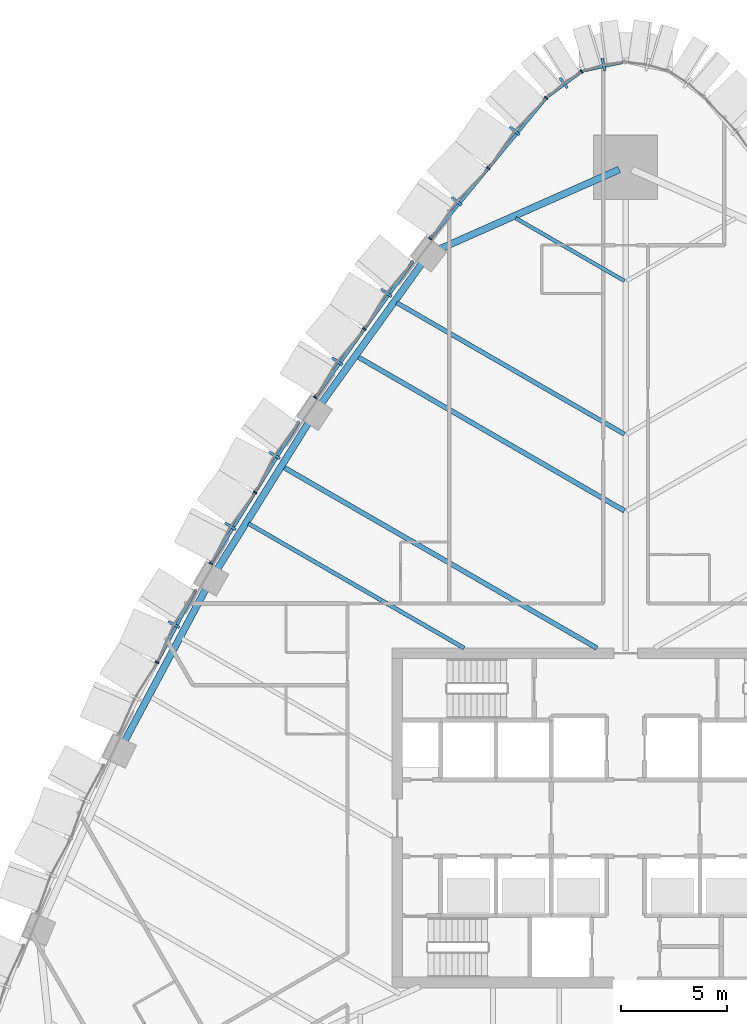
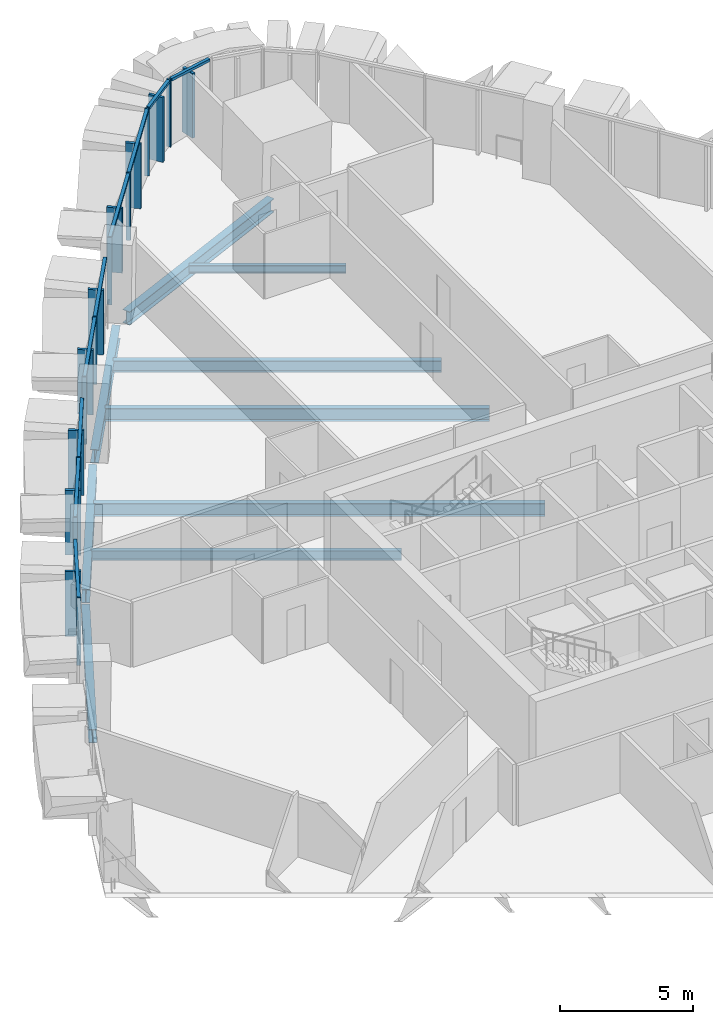
# One storey, part 6 of 23: 27 members, 9 beams, 6 elements without a shape of their own.
"""IFC4 building model written with IfcOpenShell, lengths in metres."""

from ifc_helpers import new_model, si_unit, direction, frame, origin, origin_2d, place, context, subcontext, project, spatial, rectangle, i_section, extrude, material, layer, layer_set, material_profile, profile_set, type_object, element, aggregate, save


model = new_model("IFC4")

# Units and contexts
model_context = context("Model", 3, precision=1e-05, world=origin(), true_north=direction((0.0, 1.0)))
body_context = subcontext(model_context, "Body", "Model", "MODEL_VIEW")
ifc_project = project(units=[si_unit("LENGTHUNIT", "METRE"), si_unit("AREAUNIT", "SQUARE_METRE"), si_unit("VOLUMEUNIT", "CUBIC_METRE"), si_unit("PLANEANGLEUNIT", "RADIAN"), si_unit("MASSUNIT", "GRAM", prefix="KILO")], contexts=[model_context])

# Site, building, storey
site_placement = place(None, origin())
site = spatial("IfcSite", under=ifc_project, at=site_placement, CompositionType="ELEMENT")
building_placement = place(site_placement, origin())
building = spatial("IfcBuilding", under=site, at=building_placement, Name="Sierra Prisma Convention Tower", CompositionType="ELEMENT")
storey_placement = place(building_placement, frame((0.0, 0.0, 70.199951171875)))
storey = spatial("IfcBuildingStorey", under=building, at=storey_placement, Name="L13", CompositionType="ELEMENT", Elevation=70.199951171875)

# Curtain wall, member
ifc_material_1 = material(Name="Aluminium and glass curtain wall", Category="aluminium")
ifc_layer = layer(ifc_material_1, 0.179931640625)
ifc_layer_set = layer_set([ifc_layer], Name="CW-2 Faceted crystal curtain wall")
curtain_wall_type = type_object("IfcCurtainWallType", Name="CW-2 Faceted crystal curtain wall", PredefinedType="NOTDEFINED", material=ifc_layer_set)
curtain_wall_1_placement = place(storey_placement, origin())
curtain_wall_1 = element("IfcCurtainWall", 1, at=curtain_wall_1_placement, inside=storey, type_object=curtain_wall_type, Name="CW-2 N3 L13", PredefinedType="NOTDEFINED")
ifc_material_2 = material(Name="Aluminium 6063-T6 bronze anodised", Category="aluminium")
ifc_material_profile_1 = material_profile(ifc_material_2, rectangle(XDim=0.1201171875, YDim=0.60009765625, at=origin_2d()), Name="ALU RIDGE BLADE 120x600")
ifc_profile_set_1 = profile_set([ifc_material_profile_1], Name="Aluminium 6063-T6 bronze anodised")
member_type_1 = type_object("IfcMemberType", Name="CW hip bronze", PredefinedType="MULLION", material=ifc_profile_set_1)
member_1_placement = place(storey_placement, frame((-1.03515625, 35.477294921875, 0.0), z_axis=(0.0, 0.0, 1.0), x_axis=(-0.977571241684, -0.210605003343, 0.0)))
member_1 = element("IfcMember", 2, at=member_1_placement, type_object=member_type_1, Name="CW-2 ridge N3.1", PredefinedType="MULLION", context=body_context, shape_type="SweptSolid", body=[
    extrude(rectangle(XDim=0.1201171875, YDim=0.60009765625, at=origin_2d()), origin(), (0.0, 0.0, 1.0), 2.97998046875),
])

curtain_wall_2_placement = place(storey_placement, origin())
curtain_wall_2 = element("IfcCurtainWall", 3, at=curtain_wall_2_placement, inside=storey, type_object=curtain_wall_type, Name="CW-2 N4 L13", PredefinedType="NOTDEFINED")
member_2_placement = place(storey_placement, frame((-2.922119140625, 34.624755859375, 0.0), z_axis=(0.0, 0.0, 1.0), x_axis=(-0.804132634463, -0.594449918994, 0.0)))
member_2 = element("IfcMember", 4, at=member_2_placement, type_object=member_type_1, Name="CW-2 ridge N4.1", PredefinedType="MULLION", context=body_context, shape_type="SweptSolid", body=[
    extrude(rectangle(XDim=0.1201171875, YDim=0.60009765625, at=origin_2d()), origin(), (0.0, 0.0, 1.0), 2.97998046875),
])

# Curtain wall, members
curtain_wall_3_placement = place(storey_placement, origin())
curtain_wall_3 = element("IfcCurtainWall", 5, at=curtain_wall_3_placement, inside=storey, type_object=curtain_wall_type, Name="CW-2 NW1 L13", PredefinedType="NOTDEFINED")
member_3_placement = place(storey_placement, frame((-5.22998046875, 32.364501953125, 0.0), z_axis=(0.0, 0.0, 1.0), x_axis=(-0.63557906031, -0.772035788092, 0.0)))
member_3 = element("IfcMember", 6, at=member_3_placement, type_object=member_type_1, Name="CW-2 ridge NW1.1", PredefinedType="MULLION", context=body_context, shape_type="SweptSolid", body=[
    extrude(rectangle(XDim=0.1201171875, YDim=0.60009765625, at=origin_2d()), origin(), (0.0, 0.0, 1.0), 2.97998046875),
])
member_4_placement = place(storey_placement, frame((-7.959228515625, 29.04931640625, 0.0), z_axis=(0.0, 0.0, 1.0), x_axis=(-0.63557906031, -0.772035788092, 0.0)))
member_4 = element("IfcMember", 7, at=member_4_placement, type_object=member_type_1, Name="CW-2 ridge NW1.2", PredefinedType="MULLION", context=body_context, shape_type="SweptSolid", body=[
    extrude(rectangle(XDim=0.1201171875, YDim=0.60009765625, at=origin_2d()), origin(), (0.0, 0.0, 1.0), 2.97998046875),
])

curtain_wall_4_placement = place(storey_placement, origin())
curtain_wall_4 = element("IfcCurtainWall", 8, at=curtain_wall_4_placement, inside=storey, type_object=curtain_wall_type, Name="CW-2 NW2 L13", PredefinedType="NOTDEFINED")
member_5_placement = place(storey_placement, frame((-11.271484375, 24.731201171875, 0.0), z_axis=(0.0, 0.0, 1.0), x_axis=(-0.582850909334, -0.812579114603, 0.0)))
member_5 = element("IfcMember", 9, at=member_5_placement, type_object=member_type_1, Name="CW-2 ridge NW2.1", PredefinedType="MULLION", context=body_context, shape_type="SweptSolid", body=[
    extrude(rectangle(XDim=0.1201171875, YDim=0.60009765625, at=origin_2d()), origin(), (0.0, 0.0, 1.0), 2.97998046875),
])
member_6_placement = place(storey_placement, frame((-13.583740234375, 21.5078125, 0.0), z_axis=(0.0, 0.0, 1.0), x_axis=(-0.582850909334, -0.812579114603, 0.0)))
member_6 = element("IfcMember", 10, at=member_6_placement, type_object=member_type_1, Name="CW-2 ridge NW2.2", PredefinedType="MULLION", context=body_context, shape_type="SweptSolid", body=[
    extrude(rectangle(XDim=0.1201171875, YDim=0.60009765625, at=origin_2d()), origin(), (0.0, 0.0, 1.0), 2.97998046875),
])

curtain_wall_5_placement = place(storey_placement, origin())
curtain_wall_5 = element("IfcCurtainWall", 11, at=curtain_wall_5_placement, inside=storey, type_object=curtain_wall_type, Name="CW-2 NW3 L13", PredefinedType="NOTDEFINED")
member_7_placement = place(storey_placement, frame((-16.540283203125, 17.08642578125, 0.0), z_axis=(0.0, 0.0, 1.0), x_axis=(-0.527544214712, -0.849527575494, 0.0)))
member_7 = element("IfcMember", 12, at=member_7_placement, type_object=member_type_1, Name="CW-2 ridge NW3.1", PredefinedType="MULLION", context=body_context, shape_type="SweptSolid", body=[
    extrude(rectangle(XDim=0.1201171875, YDim=0.60009765625, at=origin_2d()), origin(), (0.0, 0.0, 1.0), 2.97998046875),
])
member_8_placement = place(storey_placement, frame((-18.618896484375, 13.739013671875, 0.0), z_axis=(0.0, 0.0, 1.0), x_axis=(-0.527544214712, -0.849527575494, 0.0)))
member_8 = element("IfcMember", 13, at=member_8_placement, type_object=member_type_1, Name="CW-2 ridge NW3.2", PredefinedType="MULLION", context=body_context, shape_type="SweptSolid", body=[
    extrude(rectangle(XDim=0.1201171875, YDim=0.60009765625, at=origin_2d()), origin(), (0.0, 0.0, 1.0), 2.97998046875),
])

# Curtain wall, member
curtain_wall_6_placement = place(storey_placement, origin())
curtain_wall_6 = element("IfcCurtainWall", 14, at=curtain_wall_6_placement, inside=storey, type_object=curtain_wall_type, Name="CW-2 NW4 L13", PredefinedType="NOTDEFINED")
member_9_placement = place(storey_placement, frame((-21.285400390625, 9.115478515625, 0.0), z_axis=(0.0, 0.0, 1.0), x_axis=(-0.469903654338, -0.882717710052, 0.0)))
member_9 = element("IfcMember", 15, at=member_9_placement, type_object=member_type_1, Name="CW-2 ridge NW4.1", PredefinedType="MULLION", context=body_context, shape_type="SweptSolid", body=[
    extrude(rectangle(XDim=0.1201171875, YDim=0.60009765625, at=origin_2d()), origin(), (0.0, 0.0, 1.0), 2.97998046875),
])

# Member
ifc_material_3 = material(Name="Aluminium 6063-T6 bronze anodised", Category="aluminium")
ifc_material_profile_2 = material_profile(ifc_material_3, rectangle(XDim=0.179931640625, YDim=0.070068359375, at=origin_2d()), Name="ALU MULLION 70x180")
ifc_profile_set_2 = profile_set([ifc_material_profile_2], Name="Aluminium 6063-T6 bronze anodised")
member_type_2 = type_object("IfcMemberType", Name="CW mullion bronze", PredefinedType="MULLION", material=ifc_profile_set_2)
member_10_placement = place(storey_placement, frame((-2.06640625, 35.162109375, 0.0), z_axis=(0.0, 0.0, 1.0), x_axis=(0.594449918994, -0.804132634463, 0.0)))
member_10 = element("IfcMember", 16, at=member_10_placement, type_object=member_type_2, Name="CW-1 mullion N4.1", PredefinedType="MULLION", context=body_context, shape_type="SweptSolid", body=[
    extrude(rectangle(XDim=0.179931640625, YDim=0.070068359375, at=origin_2d()), origin(), (0.0, 0.0, 1.0), 3.10009765625),
])

member_11_placement = place(storey_placement, frame((-3.737060546875, 33.91650390625, 0.0), z_axis=(0.0, 0.0, 1.0), x_axis=(0.772035788092, -0.63557906031, 0.0)))
member_11 = element("IfcMember", 17, at=member_11_placement, type_object=member_type_2, Name="CW-1 mullion NW1.1", PredefinedType="MULLION", context=body_context, shape_type="SweptSolid", body=[
    extrude(rectangle(XDim=0.179931640625, YDim=0.070068359375, at=origin_2d()), origin(), (0.0, 0.0, 1.0), 3.10009765625),
])

member_12_placement = place(storey_placement, frame((-6.46630859375, 30.601318359375, 0.0), z_axis=(0.0, 0.0, 1.0), x_axis=(0.772035788092, -0.63557906031, 0.0)))
member_12 = element("IfcMember", 18, at=member_12_placement, type_object=member_type_2, Name="CW-1 mullion NW1.2", PredefinedType="MULLION", context=body_context, shape_type="SweptSolid", body=[
    extrude(rectangle(XDim=0.179931640625, YDim=0.070068359375, at=origin_2d()), origin(), (0.0, 0.0, 1.0), 3.10009765625),
])

member_13_placement = place(storey_placement, frame((-9.1953125, 27.2861328125, 0.0), z_axis=(0.0, 0.0, 1.0), x_axis=(0.772035788092, -0.63557906031, 0.0)))
member_13 = element("IfcMember", 19, at=member_13_placement, type_object=member_type_2, Name="CW-1 mullion NW1.3", PredefinedType="MULLION", context=body_context, shape_type="SweptSolid", body=[
    extrude(rectangle(XDim=0.179931640625, YDim=0.070068359375, at=origin_2d()), origin(), (0.0, 0.0, 1.0), 3.10009765625),
])

member_14_placement = place(storey_placement, frame((-12.302978515625, 23.030029296875, 0.0), z_axis=(0.0, 0.0, 1.0), x_axis=(0.812579114603, -0.582850909334, 0.0)))
member_14 = element("IfcMember", 20, at=member_14_placement, type_object=member_type_2, Name="CW-1 mullion NW2.2", PredefinedType="MULLION", context=body_context, shape_type="SweptSolid", body=[
    extrude(rectangle(XDim=0.179931640625, YDim=0.070068359375, at=origin_2d()), origin(), (0.0, 0.0, 1.0), 3.10009765625),
])

member_15_placement = place(storey_placement, frame((-14.615234375, 19.806640625, 0.0), z_axis=(0.0, 0.0, 1.0), x_axis=(0.812579114603, -0.582850909334, 0.0)))
member_15 = element("IfcMember", 21, at=member_15_placement, type_object=member_type_2, Name="CW-1 mullion NW2.3", PredefinedType="MULLION", context=body_context, shape_type="SweptSolid", body=[
    extrude(rectangle(XDim=0.179931640625, YDim=0.070068359375, at=origin_2d()), origin(), (0.0, 0.0, 1.0), 3.10009765625),
])

member_16_placement = place(storey_placement, frame((-17.4501953125, 15.332275390625, 0.0), z_axis=(0.0, 0.0, 1.0), x_axis=(0.849527575494, -0.527544214712, 0.0)))
member_16 = element("IfcMember", 22, at=member_16_placement, type_object=member_type_2, Name="CW-1 mullion NW3.2", PredefinedType="MULLION", context=body_context, shape_type="SweptSolid", body=[
    extrude(rectangle(XDim=0.179931640625, YDim=0.070068359375, at=origin_2d()), origin(), (0.0, 0.0, 1.0), 3.10009765625),
])

member_17_placement = place(storey_placement, frame((-19.52880859375, 11.985107421875, 0.0), z_axis=(0.0, 0.0, 1.0), x_axis=(0.849527575494, -0.527544214712, 0.0)))
member_17 = element("IfcMember", 23, at=member_17_placement, type_object=member_type_2, Name="CW-1 mullion NW3.3", PredefinedType="MULLION", context=body_context, shape_type="SweptSolid", body=[
    extrude(rectangle(XDim=0.179931640625, YDim=0.070068359375, at=origin_2d()), origin(), (0.0, 0.0, 1.0), 3.10009765625),
])

member_18_placement = place(storey_placement, frame((-22.068115234375, 7.324951171875, 0.0), z_axis=(0.0, 0.0, 1.0), x_axis=(0.882717710052, -0.469903654338, 0.0)))
member_18 = element("IfcMember", 24, at=member_18_placement, type_object=member_type_2, Name="CW-1 mullion NW4.2", PredefinedType="MULLION", context=body_context, shape_type="SweptSolid", body=[
    extrude(rectangle(XDim=0.179931640625, YDim=0.070068359375, at=origin_2d()), origin(), (0.0, 0.0, 1.0), 3.10009765625),
])

ifc_material_4 = material(Name="Aluminium 6063-T6 bronze anodised", Category="aluminium")
ifc_material_profile_3 = material_profile(ifc_material_4, rectangle(XDim=0.139892578125, YDim=0.1201171875, at=origin_2d()), Name="ALU TRANSOM 120x140")
ifc_profile_set_3 = profile_set([ifc_material_profile_3], Name="Aluminium 6063-T6 bronze anodised")
member_type_3 = type_object("IfcMemberType", Name="CW transom bronze", PredefinedType="USERDEFINED", material=ifc_profile_set_3)
member_19_placement = place(storey_placement, frame((-0.068359375, 35.607177734375, 3.0400390625), z_axis=(-0.977592512461, -0.210506245942, 0.0), x_axis=(0.210506245942, -0.977592512461, 0.0)))
member_19 = element("IfcMember", 25, at=member_19_placement, type_object=member_type_3, Name="CW-1 transom N3.1", ObjectType="TRANSOM", PredefinedType="USERDEFINED", context=body_context, shape_type="SweptSolid", body=[
    extrude(rectangle(XDim=0.139892578125, YDim=0.1201171875, at=origin_2d()), origin(), (0.0, 0.0, 1.0), 1.945068359375),
])

aggregate(curtain_wall_1, [member_19, member_1])

member_20_placement = place(storey_placement, frame((-2.094482421875, 35.141357421875, 3.0400390625), z_axis=(-0.804108310172, -0.594482821882, 0.0), x_axis=(0.594482821882, -0.804108310172, 0.0)))
member_20 = element("IfcMember", 26, at=member_20_placement, type_object=member_type_3, Name="CW-1 transom N4.1", ObjectType="TRANSOM", PredefinedType="USERDEFINED", context=body_context, shape_type="SweptSolid", body=[
    extrude(rectangle(XDim=0.139892578125, YDim=0.1201171875, at=origin_2d()), origin(), (0.0, 0.0, 1.0), 1.945068359375),
])

aggregate(curtain_wall_2, [member_10, member_20, member_2])

member_21_placement = place(storey_placement, frame((-3.75927734375, 33.889404296875, 3.0400390625), z_axis=(-0.635607977523, -0.772011981066, 0.0), x_axis=(0.772011981066, -0.635607977523, 0.0)))
member_21 = element("IfcMember", 27, at=member_21_placement, type_object=member_type_3, Name="CW-1 transom NW1.1", ObjectType="TRANSOM", PredefinedType="USERDEFINED", context=body_context, shape_type="SweptSolid", body=[
    extrude(rectangle(XDim=0.139892578125, YDim=0.1201171875, at=origin_2d()), origin(), (0.0, 0.0, 1.0), 4.22412109375),
])

member_22_placement = place(storey_placement, frame((-6.488525390625, 30.57421875, 3.0400390625), z_axis=(-0.63557352769, -0.772040342793, 0.0), x_axis=(0.772040342793, -0.63557352769, 0.0)))
member_22 = element("IfcMember", 28, at=member_22_placement, type_object=member_type_3, Name="CW-1 transom NW1.2", ObjectType="TRANSOM", PredefinedType="USERDEFINED", context=body_context, shape_type="SweptSolid", body=[
    extrude(rectangle(XDim=0.139892578125, YDim=0.1201171875, at=origin_2d()), origin(), (0.0, 0.0, 1.0), 4.223876953125),
])

aggregate(curtain_wall_3, [member_11, member_12, member_13, member_21, member_3, member_22, member_4])

member_23_placement = place(storey_placement, frame((-10.01123046875, 26.225341796875, 3.0400390625), z_axis=(-0.582854825783, -0.812576305378, 0.0), x_axis=(0.812576305378, -0.582854825783, 0.0)))
member_23 = element("IfcMember", 29, at=member_23_placement, type_object=member_type_3, Name="CW-1 transom NW2.1", ObjectType="TRANSOM", PredefinedType="USERDEFINED", context=body_context, shape_type="SweptSolid", body=[
    extrude(rectangle(XDim=0.139892578125, YDim=0.1201171875, at=origin_2d()), origin(), (0.0, 0.0, 1.0), 3.897216796875),
])

member_24_placement = place(storey_placement, frame((-12.323486328125, 23.001708984375, 3.0400390625), z_axis=(-0.582813459854, -0.812605975251, 0.0), x_axis=(0.812605975251, -0.582813459854, 0.0)))
member_24 = element("IfcMember", 30, at=member_24_placement, type_object=member_type_3, Name="CW-1 transom NW2.2", ObjectType="TRANSOM", PredefinedType="USERDEFINED", context=body_context, shape_type="SweptSolid", body=[
    extrude(rectangle(XDim=0.139892578125, YDim=0.1201171875, at=origin_2d()), origin(), (0.0, 0.0, 1.0), 3.89697265625),
])

aggregate(curtain_wall_4, [member_14, member_15, member_23, member_5, member_24, member_6])

member_25_placement = place(storey_placement, frame((-15.389892578125, 18.64990234375, 3.0400390625), z_axis=(-0.527552851969, -0.849522211822, 0.0), x_axis=(0.849522211822, -0.527552851969, 0.0)))
member_25 = element("IfcMember", 31, at=member_25_placement, type_object=member_type_3, Name="CW-1 transom NW3.1", ObjectType="TRANSOM", PredefinedType="USERDEFINED", context=body_context, shape_type="SweptSolid", body=[
    extrude(rectangle(XDim=0.139892578125, YDim=0.1201171875, at=origin_2d()), origin(), (0.0, 0.0, 1.0), 3.8701171875),
])

member_26_placement = place(storey_placement, frame((-17.46875, 15.302734375, 3.0400390625), z_axis=(-0.52750732434, -0.849550482766, 0.0), x_axis=(0.849550482766, -0.52750732434, 0.0)))
member_26 = element("IfcMember", 32, at=member_26_placement, type_object=member_type_3, Name="CW-1 transom NW3.2", ObjectType="TRANSOM", PredefinedType="USERDEFINED", context=body_context, shape_type="SweptSolid", body=[
    extrude(rectangle(XDim=0.139892578125, YDim=0.1201171875, at=origin_2d()), origin(), (0.0, 0.0, 1.0), 3.8701171875),
])

aggregate(curtain_wall_5, [member_16, member_17, member_25, member_7, member_26, member_8])

member_27_placement = place(storey_placement, frame((-20.25341796875, 10.73388671875, 3.0400390625), z_axis=(-0.469906007456, -0.882716457395, 0.0), x_axis=(0.882716457395, -0.469906007456, 0.0)))
member_27 = element("IfcMember", 33, at=member_27_placement, type_object=member_type_3, Name="CW-1 transom NW4.1", ObjectType="TRANSOM", PredefinedType="USERDEFINED", context=body_context, shape_type="SweptSolid", body=[
    extrude(rectangle(XDim=0.139892578125, YDim=0.1201171875, at=origin_2d()), origin(), (0.0, 0.0, 1.0), 3.826904296875),
])

aggregate(curtain_wall_6, [member_18, member_27, member_9])

# Beams
ifc_material_5 = material(Name="Steel ASTM A992 Gr 50", Category="steel")
ifc_material_profile_4 = material_profile(ifc_material_5, i_section(OverallWidth=0.172119140625, OverallDepth=0.35791015625, WebThickness=0.0078125, FlangeThickness=0.01318359375, at=origin_2d()), Name="W360x57")
ifc_profile_set_4 = profile_set([ifc_material_profile_4], Name="Steel ASTM A992 Gr 50")
beam_type_1 = type_object("IfcBeamType", Name="Floor joist W360x57", PredefinedType="JOIST", material=ifc_profile_set_4)
beam_1_placement = place(storey_placement, frame((-5.17578125, 28.24755859375, -0.328857421875), z_axis=(0.866017195286, -0.500014217266, 0.0), x_axis=(0.500014217266, 0.866017195286, 0.0)))
element("IfcBeam", 34, at=beam_1_placement, inside=storey, type_object=beam_type_1, Name="Floor joist L13 NW02", PredefinedType="JOIST", context=body_context, shape_type="SweptSolid", body=[
    extrude(i_section(OverallWidth=0.172119140625, OverallDepth=0.35791015625, WebThickness=0.0078125, FlangeThickness=0.01318359375, at=origin_2d()), origin(), (0.0, 0.0, 1.0), 5.915283203125),
])
ifc_material_6 = material(Name="Steel ASTM A992 Gr 50", Category="steel")
ifc_material_profile_5 = material_profile(ifc_material_6, i_section(OverallWidth=0.18994140625, OverallDepth=0.45703125, WebThickness=0.009033203125, FlangeThickness=0.014404296875, at=origin_2d()), Name="W460x74")
ifc_profile_set_5 = profile_set([ifc_material_profile_5], Name="Steel ASTM A992 Gr 50")
beam_type_2 = type_object("IfcBeamType", Name="Floor joist W460x74", PredefinedType="JOIST", material=ifc_profile_set_5)
beam_2_placement = place(storey_placement, frame((-17.761962890625, 13.86328125, -0.37841796875), z_axis=(0.866025756702, -0.499999388729, 0.0), x_axis=(0.499999388729, 0.866025756702, 0.0)))
element("IfcBeam", 35, at=beam_2_placement, inside=storey, type_object=beam_type_2, Name="Floor joist L13 NW08", PredefinedType="JOIST", context=body_context, shape_type="SweptSolid", body=[
    extrude(i_section(OverallWidth=0.18994140625, OverallDepth=0.45703125, WebThickness=0.009033203125, FlangeThickness=0.014404296875, at=origin_2d()), origin(), (0.0, 0.0, 1.0), 11.7265625),
])
ifc_material_7 = material(Name="Steel ASTM A992 Gr 50", Category="steel")
ifc_material_profile_6 = material_profile(ifc_material_7, i_section(OverallWidth=0.208984375, OverallDepth=0.532958984375, WebThickness=0.01025390625, FlangeThickness=0.015625, at=origin_2d()), Name="W530x92")
ifc_profile_set_6 = profile_set([ifc_material_profile_6], Name="Steel ASTM A992 Gr 50")
beam_type_3 = type_object("IfcBeamType", Name="Floor joist W530x92", PredefinedType="JOIST", material=ifc_profile_set_6)
beam_3_placement = place(storey_placement, frame((-10.783935546875, 24.268310546875, -0.41650390625), z_axis=(0.866032687493, -0.499987384034, 0.0), x_axis=(0.499987384034, 0.866032687493, 0.0)))
element("IfcBeam", 36, at=beam_3_placement, inside=storey, type_object=beam_type_3, Name="Floor joist L13 NW04", PredefinedType="JOIST", context=body_context, shape_type="SweptSolid", body=[
    extrude(i_section(OverallWidth=0.208984375, OverallDepth=0.532958984375, WebThickness=0.01025390625, FlangeThickness=0.015625, at=origin_2d()), origin(), (0.0, 0.0, 1.0), 12.390869140625),
])
ifc_material_8 = material(Name="Steel ASTM A992 Gr 50", Category="steel")
ifc_material_profile_7 = material_profile(ifc_material_8, i_section(OverallWidth=0.22802734375, OverallDepth=0.60302734375, WebThickness=0.010498046875, FlangeThickness=0.014892578125, at=origin_2d()), Name="W610x101")
ifc_profile_set_7 = profile_set([ifc_material_profile_7], Name="Steel ASTM A992 Gr 50")
beam_type_4 = type_object("IfcBeamType", Name="Floor joist W610x101", PredefinedType="JOIST", material=ifc_profile_set_7)
beam_4_placement = place(storey_placement, frame((-12.61572265625, 21.717529296875, -0.451416015625), z_axis=(0.86603059841, -0.499991002537, 0.0), x_axis=(0.499991002537, 0.86603059841, 0.0)))
element("IfcBeam", 37, at=beam_4_placement, inside=storey, type_object=beam_type_4, Name="Floor joist L13 NW05", PredefinedType="JOIST", context=body_context, shape_type="SweptSolid", body=[
    extrude(i_section(OverallWidth=0.22802734375, OverallDepth=0.60302734375, WebThickness=0.010498046875, FlangeThickness=0.014892578125, at=origin_2d()), origin(), (0.0, 0.0, 1.0), 14.506103515625),
])
beam_5_placement = place(storey_placement, frame((-16.110107421875, 16.51806640625, -0.451416015625), z_axis=(0.866028081176, -0.499995362593, 0.0), x_axis=(0.499995362593, 0.866028081176, 0.0)))
element("IfcBeam", 38, at=beam_5_placement, inside=storey, type_object=beam_type_4, Name="Floor joist L13 NW07", PredefinedType="JOIST", context=body_context, shape_type="SweptSolid", body=[
    extrude(i_section(OverallWidth=0.22802734375, OverallDepth=0.60302734375, WebThickness=0.010498046875, FlangeThickness=0.014892578125, at=origin_2d()), origin(), (0.0, 0.0, 1.0), 17.036376953125),
])
ifc_material_9 = material(Name="Steel ASTM A992 Gr 50", Category="steel")
ifc_material_profile_8 = material_profile(ifc_material_9, i_section(OverallWidth=0.324951171875, OverallDepth=0.615966796875, WebThickness=0.013916015625, FlangeThickness=0.021484375, at=origin_2d()), Name="W610x174")
ifc_profile_set_8 = profile_set([ifc_material_profile_8], Name="Steel ASTM A992 Gr 50")
beam_type_5 = type_object("IfcBeamType", Name="Spandrel beam W610x174", PredefinedType="BEAM", material=ifc_profile_set_8)
beam_6_placement = place(storey_placement, frame((-0.300048828125, 30.539306640625, -0.4580078125), z_axis=(-0.914415845378, -0.404776063672, 0.0), x_axis=(0.404776063672, -0.914415845378, 0.0)))
element("IfcBeam", 39, at=beam_6_placement, inside=storey, type_object=beam_type_5, Name="Spandrel L13-13", PredefinedType="BEAM", context=body_context, shape_type="SweptSolid", body=[
    extrude(i_section(OverallWidth=0.324951171875, OverallDepth=0.615966796875, WebThickness=0.013916015625, FlangeThickness=0.021484375, at=origin_2d()), origin(), (0.0, 0.0, 1.0), 9.24755859375),
])
for number, where, z_axis, x_axis, name in (
    (40, (-9.551025390625, 26.17822265625, -0.4580078125), (-0.583335437208, -0.812231351093, 0.0), (0.812231351093, -0.583335437208, 0.0), "Spandrel L13-14"),
    (41, (-14.898193359375, 18.67822265625, -0.4580078125), (-0.528364928485, -0.849017374585, 0.0), (0.849017374585, -0.528364928485, 0.0), "Spandrel L13-15"),
    (42, (-19.73779296875, 10.84130859375, -0.4580078125), (-0.471101083733, -0.882079230515, 0.0), (0.882079230515, -0.471101083733, 0.0), "Spandrel L13-16"),
):
    element("IfcBeam", number, at=place(storey_placement, frame(where, z_axis=z_axis, x_axis=x_axis)), inside=storey, type_object=beam_type_5, Name=name, PredefinedType="BEAM", context=body_context, shape_type="SweptSolid", body=[
        extrude(i_section(OverallWidth=0.324951171875, OverallDepth=0.615966796875, WebThickness=0.013916015625, FlangeThickness=0.021484375, at=origin_2d()), origin(), (0.0, 0.0, 1.0), 8.251220703125),
    ])

save(model, "model.ifc")
